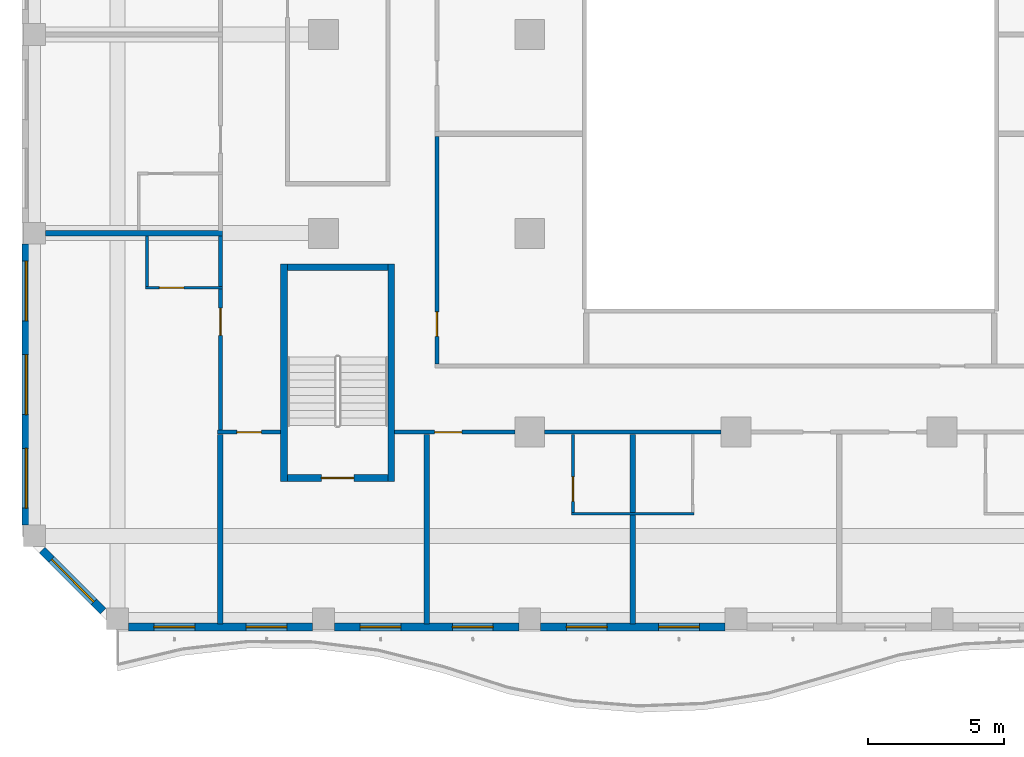
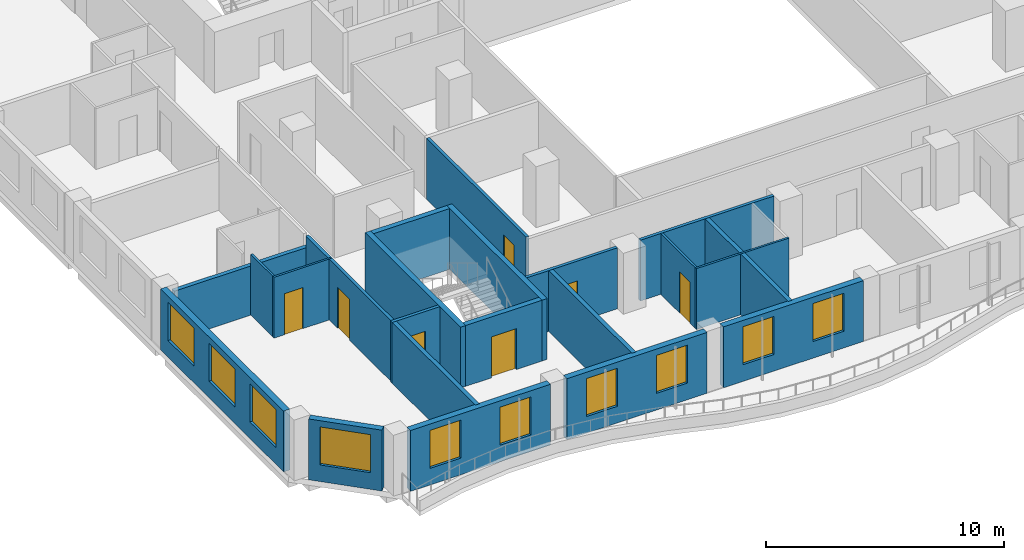
# One storey, part 2 of 22: 24 walls, 10 windows, 7 doors, 17 openings.
"""IFC4 building model written with IfcOpenShell, lengths in metres."""

import ifcopenshell
import ifcopenshell.guid

model = None  # the IFC model being written
_history = None  # IfcOwnerHistory: only IFC2X3 demands one
_inside = {}  # id of a spatial element -> (the spatial element, [elements in it])
_under = {}  # id of a project, library or spatial element -> (it, [spatial elements below it])
_declared = {}  # id of a project -> (the project, [libraries it declares])
_typed = {}  # id of a type object -> (the type object, [elements of that type])
_made_of = {}  # id of a material, layer set ... -> (it, [elements and type objects made of it])


def new_model(schema):
    """Start an empty IFC model of exactly this schema.

    Asked for "IFC4X3", IfcOpenShell would pick the latest addendum, in which some entities
    have other attributes; the version numbers below select the first issue.
    IFC2X3 requires an IfcOwnerHistory on every rooted entity: one is made here for all.
    """
    global model, _history
    if schema == "IFC4X3":
        model = ifcopenshell.file(schema_version=(4, 3, 0, 0))
    else:
        model = ifcopenshell.file(schema=schema)
    _inside.clear()
    _under.clear()
    _declared.clear()
    _typed.clear()
    _made_of.clear()
    _history = None
    if model.schema == "IFC2X3":
        org = make("IfcOrganization", Name="unknown")
        user = make(
            "IfcPersonAndOrganization",
            ThePerson=make("IfcPerson", FamilyName="unknown"),
            TheOrganization=org,
        )
        app = make(
            "IfcApplication",
            ApplicationDeveloper=org,
            Version="unknown",
            ApplicationFullName="unknown",
            ApplicationIdentifier="unknown",
        )
        _history = make(
            "IfcOwnerHistory",
            OwningUser=user,
            OwningApplication=app,
            ChangeAction="ADDED",
            CreationDate=0,
        )
    return model


def make(cls, **values):
    """One entity of the class cls with the attributes given. An attribute that is None is left unset."""
    return model.create_entity(
        cls, **{name: value for name, value in values.items() if value is not None}
    )


def rooted(cls, **values):
    """An entity with a GlobalId (a new one), such as an element, a storey or a relation."""
    return make(cls, GlobalId=ifcopenshell.guid.new(), OwnerHistory=_history, **values)


def si_unit(unit_type, name, prefix=None):
    """IfcSIUnit, for example si_unit("LENGTHUNIT", "METRE", prefix="MILLI")."""
    return make("IfcSIUnit", UnitType=unit_type, Prefix=prefix, Name=name)


def assignment(units):
    """IfcUnitAssignment: the units of a project."""
    return None if units is None else make("IfcUnitAssignment", Units=units)


def point(xyz):
    """IfcCartesianPoint."""
    return None if xyz is None else make("IfcCartesianPoint", Coordinates=xyz)


def direction(xyz):
    """IfcDirection."""
    return None if xyz is None else make("IfcDirection", DirectionRatios=xyz)


def frame(location, z_axis=None, x_axis=None):
    """IfcAxis2Placement3D, a coordinate frame: its origin and axes. An axis left out is left unset."""
    return make(
        "IfcAxis2Placement3D",
        Location=point(location),
        Axis=direction(z_axis),
        RefDirection=direction(x_axis),
    )


def frame_2d(location, x_axis=None):
    """IfcAxis2Placement2D, a coordinate frame in the plane: its origin and x axis."""
    return make(
        "IfcAxis2Placement2D", Location=point(location), RefDirection=direction(x_axis)
    )


def origin():
    """The frame at (0, 0, 0) with its axes left unset."""
    return frame((0.0, 0.0, 0.0))


def place(relative_to, where):
    """IfcLocalPlacement: puts the frame where relative to a parent placement (None: the world)."""
    return make(
        "IfcLocalPlacement", PlacementRelTo=relative_to, RelativePlacement=where
    )


def context(
    kind, dimensions, precision=None, world=None, true_north=None, identifier=None
):
    """IfcGeometricRepresentationContext, for example the 3D "Model" context."""
    return make(
        "IfcGeometricRepresentationContext",
        ContextIdentifier=identifier,
        ContextType=kind,
        CoordinateSpaceDimension=dimensions,
        Precision=precision,
        WorldCoordinateSystem=world,
        TrueNorth=true_north,
    )


def subcontext(parent, identifier, kind, view, scale=None):
    """IfcGeometricRepresentationSubContext, for example "Body" below "Model"."""
    return make(
        "IfcGeometricRepresentationSubContext",
        ContextIdentifier=identifier,
        ContextType=kind,
        ParentContext=parent,
        TargetScale=scale,
        TargetView=view,
    )


def project(units=None, contexts=None):
    """IfcProject with its units and contexts."""
    return rooted(
        "IfcProject",
        Name="project",
        RepresentationContexts=contexts,
        UnitsInContext=assignment(units),
    )


def spatial(cls, under=None, at=None, **own):
    """A site, building, storey or space (cls), placed at a placement, below another one or the project."""
    s = rooted(cls, ObjectPlacement=at, **own)
    if under is not None:
        _under.setdefault(under.id(), (under, []))[1].append(s)
    return s


def profile(cls, at=None, kind="AREA", **sizes):
    """A parametric profile (cls). Its sizes go by their IFC names, for example OverallWidth=200.0."""
    return make(cls, ProfileType=kind, Position=at, **sizes)


def rectangle(**sizes):
    """IfcRectangleProfileDef."""
    return profile("IfcRectangleProfileDef", **sizes)


def extrude(swept, where, along, depth):
    """IfcExtrudedAreaSolid: the profile swept, set in the frame where, extruded along a direction by depth."""
    return make(
        "IfcExtrudedAreaSolid",
        SweptArea=swept,
        Position=where,
        ExtrudedDirection=direction(along),
        Depth=depth,
    )


def shape(context_of_items, identifier, shape_type, items):
    """IfcShapeRepresentation: the items that make up one representation, for example the "Body"."""
    return make(
        "IfcShapeRepresentation",
        ContextOfItems=context_of_items,
        RepresentationIdentifier=identifier,
        RepresentationType=shape_type,
        Items=items,
    )


def source(mapping_origin, context_of_items, identifier, shape_type, items):
    """IfcRepresentationMap: a shape defined once, which mapped items show again and again."""
    return make(
        "IfcRepresentationMap",
        MappingOrigin=mapping_origin,
        MappedRepresentation=shape(context_of_items, identifier, shape_type, items),
    )


def transform(
    local_origin,
    x_axis=None,
    y_axis=None,
    z_axis=None,
    scale=None,
    scale2=None,
    scale3=None,
    uniform=True,
):
    """IfcCartesianTransformationOperator3D, or its non-uniform kind. x_axis, y_axis, z_axis: its Axis1, 2, 3."""
    if uniform:
        return make(
            "IfcCartesianTransformationOperator3D",
            Axis1=direction(x_axis),
            Axis2=direction(y_axis),
            LocalOrigin=point(local_origin),
            Scale=scale,
            Axis3=direction(z_axis),
        )
    return make(
        "IfcCartesianTransformationOperator3DnonUniform",
        Axis1=direction(x_axis),
        Axis2=direction(y_axis),
        LocalOrigin=point(local_origin),
        Scale=scale,
        Axis3=direction(z_axis),
        Scale2=scale2,
        Scale3=scale3,
    )


def mapped(mapping_source, mapping_target):
    """IfcMappedItem: shows the shape of a source again, moved by a transform."""
    return make(
        "IfcMappedItem", MappingSource=mapping_source, MappingTarget=mapping_target
    )


def material(Name=None, Category=None):
    """IfcMaterial."""
    return make("IfcMaterial", Name=Name, Category=Category)


def layer(
    of_material, thickness, ventilated=None, Name=None, Category=None, Priority=None
):
    """IfcMaterialLayer: one layer of a wall or slab, of a material (None: an air gap)."""
    return make(
        "IfcMaterialLayer",
        Material=of_material,
        LayerThickness=thickness,
        IsVentilated=ventilated,
        Name=Name,
        Category=Category,
        Priority=Priority,
    )


def layer_set(layers, Name=None):
    """IfcMaterialLayerSet."""
    return make("IfcMaterialLayerSet", MaterialLayers=layers, LayerSetName=Name)


def made_of(thing, what):
    """Note that an element or type object is made of a material, layer set ...; save() writes the relation."""
    if what is not None:
        _made_of.setdefault(what.id(), (what, []))[1].append(thing)
    return thing


def type_object(cls, material=None, **own):
    """A type object (cls), such as IfcWallType, which elements share."""
    return made_of(rooted(cls, **own), material)


def element(
    cls,
    number,
    at=None,
    inside=None,
    cuts=None,
    type_object=None,
    material=None,
    context=None,
    identifier="Body",
    shape_type=None,
    held_by="IfcProductDefinitionShape",
    body=None,
    shapes=None,
    **own,
):
    """One element of the class cls, such as IfcWall. Its Tag is "e" and its number.

    at: its placement. inside: the storey or other place that contains it. cuts: it is an
    opening in that element (IfcRelVoidsElement). A single representation is given by context,
    identifier, shape_type and body (its items); several are given by shapes. held_by: the class
    of the entity that holds the representations. save() writes the other relations.
    """
    e = rooted(cls, Tag="e%d" % number, ObjectPlacement=at, **own)
    if body is not None:
        shapes = [shape(context, identifier, shape_type, body)]
    if shapes is not None:
        e.Representation = make(held_by, Representations=shapes)
    if inside is not None:
        _inside.setdefault(inside.id(), (inside, []))[1].append(e)
    if cuts is not None:
        rooted(
            "IfcRelVoidsElement", RelatingBuildingElement=cuts, RelatedOpeningElement=e
        )
    if type_object is not None:
        _typed.setdefault(type_object.id(), (type_object, []))[1].append(e)
    return made_of(e, material)


def fill(opening, filler):
    """IfcRelFillsElement: the door or window that sits in an opening."""
    return rooted(
        "IfcRelFillsElement",
        RelatingOpeningElement=opening,
        RelatedBuildingElement=filler,
    )


def aggregate(whole, parts):
    """IfcRelAggregates: a whole, such as a stair, and the parts it consists of."""
    return rooted("IfcRelAggregates", RelatingObject=whole, RelatedObjects=parts)


def save(model, path):
    """Write the relations noted so far, then the file.

    IfcRelAggregates (storeys below a building ...), IfcRelContainedInSpatialStructure (elements
    in a storey), IfcRelDefinesByType, IfcRelAssociatesMaterial and IfcRelDeclares: one each for
    every whole, place, type object, material and project.
    """
    for whole, parts in _under.values():
        aggregate(whole, parts)
    for where, things in _inside.values():
        rooted(
            "IfcRelContainedInSpatialStructure",
            RelatedElements=things,
            RelatingStructure=where,
        )
    for kind, things in _typed.values():
        rooted("IfcRelDefinesByType", RelatedObjects=things, RelatingType=kind)
    for what, things in _made_of.values():
        rooted("IfcRelAssociatesMaterial", RelatedObjects=things, RelatingMaterial=what)
    for by, libraries in _declared.values():
        rooted("IfcRelDeclares", RelatingContext=by, RelatedDefinitions=libraries)
    model.write(path)


model = new_model("IFC4")

# Units and contexts
model_context = context("Model", 3, precision=1e-05, world=origin(), true_north=direction((0.0, 1.0)))
body_context = subcontext(model_context, "Body", "Model", "MODEL_VIEW")
ifc_project = project(units=[si_unit("LENGTHUNIT", "METRE"), si_unit("AREAUNIT", "SQUARE_METRE"), si_unit("VOLUMEUNIT", "CUBIC_METRE"), si_unit("PLANEANGLEUNIT", "RADIAN"), si_unit("MASSUNIT", "GRAM", prefix="KILO")], contexts=[model_context])

# Site, building, storey
site_placement = place(None, origin())
site = spatial("IfcSite", under=ifc_project, at=site_placement, CompositionType="ELEMENT")
building_placement = place(site_placement, origin())
building = spatial("IfcBuilding", under=site, at=building_placement, Name="Kilnfold Tower and Market Hall", CompositionType="ELEMENT")
storey_placement = place(building_placement, frame((0.0, 0.0, 154.10009765625)))
storey = spatial("IfcBuildingStorey", under=building, at=storey_placement, Name="L35", CompositionType="ELEMENT", Elevation=154.10009765625)

# Wall, opening, door
ifc_material_1 = material(Name="Gypsum board on steel studs", Category="steel")
ifc_layer_1 = layer(ifc_material_1, 0.14990234375)
ifc_layer_set_1 = layer_set([ifc_layer_1], Name="Gypsum board on steel studs")
wall_type_1 = type_object("IfcWallType", Name="WALL CORRIDOR 150", PredefinedType="PARTITIONING", material=ifc_layer_set_1)
wall_1_placement = place(storey_placement, frame((-13.550048828125, -13.93798828125, 0.0), z_axis=(0.0, 0.0, 1.0), x_axis=(1.0, 0.0, 0.0)))
wall_1 = element("IfcWall", 1, at=wall_1_placement, inside=storey, type_object=wall_type_1, Name="Partition LY23.1", PredefinedType="PARTITIONING", context=body_context, shape_type="SweptSolid", body=[
    extrude(rectangle(XDim=4.4169921875, YDim=0.14990234375, at=frame_2d((2.20849609375, 0.0))), origin(), (0.0, 0.0, 1.0), 3.119873046875),
])
opening_1_placement = place(wall_1_placement, frame((1.468017578125, 0.0, 0.0)))
opening_1 = element("IfcOpeningElement", 2, at=opening_1_placement, cuts=wall_1, Name="Opening D1", PredefinedType="OPENING", context=body_context, shape_type="SweptSolid", body=[
    extrude(rectangle(XDim=1.0, YDim=2.10009765625, at=frame_2d((0.5, 1.050048828125))), frame((0.0, 0.0849609375, 0.0), z_axis=(0.0, -1.0, 0.0), x_axis=(1.0, 0.0, 0.0)), (0.0, 0.0, 1.0), 0.169921875),
])
ifc_material_2 = material(Name="Timber veneer door leaf in steel frame", Category="steel")
door_type_1 = type_object("IfcDoorType", Name="DOOR ENTRY 1000 X2100", OperationType="NOTDEFINED", PredefinedType="DOOR", material=ifc_material_2)
door_1_placement = place(opening_1_placement, origin())
door_1 = element("IfcDoor", 3, at=door_1_placement, inside=storey, type_object=door_type_1, Name="Door D1", OperationType="SINGLE_SWING_RIGHT", OverallHeight=2.10009765625, OverallWidth=1.0, PredefinedType="DOOR", context=body_context, shape_type="SweptSolid", body=[
    extrude(rectangle(XDim=1.0, YDim=2.10009765625, at=frame_2d((0.5, 1.050048828125))), frame((0.0, 0.02490234375, 0.0), z_axis=(0.0, -1.0, 0.0), x_axis=(1.0, 0.0, 0.0)), (0.0, 0.0, 1.0), 0.050048828125),
])
fill(opening_1, door_1)

wall_2_placement = place(storey_placement, frame((-20.05908203125, -13.93798828125, 0.0), z_axis=(0.0, 0.0, 1.0), x_axis=(1.0, 0.0, 0.0)))
wall_2 = element("IfcWall", 4, at=wall_2_placement, inside=storey, type_object=wall_type_1, Name="Partition LY23.2", PredefinedType="PARTITIONING", context=body_context, shape_type="SweptSolid", body=[
    extrude(rectangle(XDim=2.30908203125, YDim=0.14990234375, at=frame_2d((1.154541015625, 0.0))), origin(), (0.0, 0.0, 1.0), 3.119873046875),
])
opening_2_placement = place(wall_2_placement, frame((0.705078125, 0.0, 0.0)))
opening_2 = element("IfcOpeningElement", 5, at=opening_2_placement, cuts=wall_2, Name="Opening D2", PredefinedType="OPENING", context=body_context, shape_type="SweptSolid", body=[
    extrude(rectangle(XDim=0.89990234375, YDim=2.10009765625, at=frame_2d((0.449951171875, 1.050048828125))), frame((0.0, 0.0849609375, 0.0), z_axis=(0.0, -1.0, 0.0), x_axis=(1.0, 0.0, 0.0)), (0.0, 0.0, 1.0), 0.169921875),
])
ifc_material_3 = material(Name="Timber veneer door leaf in steel frame", Category="steel")
door_type_2 = type_object("IfcDoorType", Name="DOOR ROOM 900 X2100", OperationType="NOTDEFINED", PredefinedType="DOOR", material=ifc_material_3)
door_2_placement = place(opening_2_placement, origin())
door_2 = element("IfcDoor", 6, at=door_2_placement, inside=storey, type_object=door_type_2, Name="Door D2", OperationType="SINGLE_SWING_RIGHT", OverallHeight=2.10009765625, OverallWidth=0.89990234375, PredefinedType="DOOR", context=body_context, shape_type="SweptSolid", body=[
    extrude(rectangle(XDim=0.89990234375, YDim=2.10009765625, at=frame_2d((0.449951171875, 1.050048828125))), frame((0.0, 0.02490234375, 0.0), z_axis=(0.0, -1.0, 0.0), x_axis=(1.0, 0.0, 0.0)), (0.0, 0.0, 1.0), 0.050048828125),
])
fill(opening_2, door_2)

# Wall
wall_3_placement = place(storey_placement, frame((-8.032958984375, -13.93798828125, 0.0), z_axis=(0.0, 0.0, 1.0), x_axis=(1.0, 0.0, 0.0)))
element("IfcWall", 7, at=wall_3_placement, inside=storey, type_object=wall_type_1, Name="Partition LY23.3", PredefinedType="PARTITIONING", context=body_context, shape_type="SweptSolid", body=[
    extrude(rectangle(XDim=6.48291015625, YDim=0.14990234375, at=frame_2d((3.241455078125, 0.0))), origin(), (0.0, 0.0, 1.0), 3.119873046875),
])

# Wall, opening, door
wall_4_placement = place(storey_placement, frame((-19.958984375, -13.863037109375, 0.0), z_axis=(0.0, 0.0, 1.0), x_axis=(0.0, 1.0, 0.0)))
wall_4 = element("IfcWall", 8, at=wall_4_placement, inside=storey, type_object=wall_type_1, Name="Partition LY23.10", PredefinedType="PARTITIONING", context=body_context, shape_type="SweptSolid", body=[
    extrude(rectangle(XDim=5.197998046875, YDim=0.14990234375, at=frame_2d((2.59912109375, 0.0))), origin(), (0.0, 0.0, 1.0), 3.119873046875),
])
opening_3_placement = place(wall_4_placement, frame((3.485107421875, 0.0, 0.0)))
opening_3 = element("IfcOpeningElement", 9, at=opening_3_placement, cuts=wall_4, Name="Opening D1", PredefinedType="OPENING", context=body_context, shape_type="SweptSolid", body=[
    extrude(rectangle(XDim=1.0, YDim=2.10009765625, at=frame_2d((0.5, 1.050048828125))), frame((0.0, 0.0849609375, 0.0), z_axis=(0.0, -1.0, 0.0), x_axis=(1.0, 0.0, 0.0)), (0.0, 0.0, 1.0), 0.169921875),
])
door_3_placement = place(opening_3_placement, origin())
door_3 = element("IfcDoor", 10, at=door_3_placement, inside=storey, type_object=door_type_1, Name="Door D1", OperationType="SINGLE_SWING_RIGHT", OverallHeight=2.10009765625, OverallWidth=1.0, PredefinedType="DOOR", context=body_context, shape_type="SweptSolid", body=[
    extrude(rectangle(XDim=1.0, YDim=2.10009765625, at=frame_2d((0.5, 1.050048828125))), frame((0.0, 0.02490234375, 0.0), z_axis=(0.0, -1.0, 0.0), x_axis=(1.0, 0.0, 0.0)), (0.0, 0.0, 1.0), 0.050048828125),
])
fill(opening_3, door_3)

# Wall
wall_5_placement = place(storey_placement, frame((-19.958984375, -8.5849609375, 0.0), z_axis=(0.0, 0.0, 1.0), x_axis=(0.0, 1.0, 0.0)))
element("IfcWall", 11, at=wall_5_placement, inside=storey, type_object=wall_type_1, Name="Partition LY23.11", PredefinedType="PARTITIONING", context=body_context, shape_type="SweptSolid", body=[
    extrude(rectangle(XDim=1.869873046875, YDim=0.14990234375, at=frame_2d((0.93505859375, 0.0))), origin(), (0.0, 0.0, 1.0), 3.119873046875),
])

# Wall, opening, door
wall_6_placement = place(storey_placement, frame((-12.0, -11.425048828125, 0.0), z_axis=(0.0, 0.0, 1.0), x_axis=(0.0, 1.0, 0.0)))
wall_6 = element("IfcWall", 12, at=wall_6_placement, inside=storey, type_object=wall_type_1, Name="Partition LY23.32", PredefinedType="PARTITIONING", context=body_context, shape_type="SweptSolid", body=[
    extrude(rectangle(XDim=8.365966796875, YDim=0.14990234375, at=frame_2d((4.18310546875, 0.0))), origin(), (0.0, 0.0, 1.0), 3.119873046875),
])
opening_4_placement = place(wall_6_placement, frame((1.008056640625, 0.0, 0.0)))
opening_4 = element("IfcOpeningElement", 13, at=opening_4_placement, cuts=wall_6, Name="Opening D2", PredefinedType="OPENING", context=body_context, shape_type="SweptSolid", body=[
    extrude(rectangle(XDim=0.89990234375, YDim=2.10009765625, at=frame_2d((0.449951171875, 1.050048828125))), frame((0.0, 0.0849609375, 0.0), z_axis=(0.0, -1.0, 0.0), x_axis=(1.0, 0.0, 0.0)), (0.0, 0.0, 1.0), 0.169921875),
])
door_4_placement = place(opening_4_placement, origin())
door_4 = element("IfcDoor", 14, at=door_4_placement, inside=storey, type_object=door_type_2, Name="Door D2", OperationType="SINGLE_SWING_LEFT", OverallHeight=2.10009765625, OverallWidth=0.89990234375, PredefinedType="DOOR", context=body_context, shape_type="SweptSolid", body=[
    extrude(rectangle(XDim=0.89990234375, YDim=2.10009765625, at=frame_2d((0.449951171875, 1.050048828125))), frame((0.0, 0.02490234375, 0.0), z_axis=(0.0, -1.0, 0.0), x_axis=(1.0, 0.0, 0.0)), (0.0, 0.0, 1.0), 0.050048828125),
])
fill(opening_4, door_4)

ifc_material_4 = material(Name="Gypsum board on steel studs", Category="steel")
ifc_layer_2 = layer(ifc_material_4, 0.10009765625)
ifc_layer_set_2 = layer_set([ifc_layer_2], Name="Gypsum board on steel studs")
wall_type_2 = type_object("IfcWallType", Name="WALL PARTITION 100", PredefinedType="PARTITIONING", material=ifc_layer_set_2)
wall_7_placement = place(storey_placement, frame((-6.991943359375, -16.889892578125, 0.0), z_axis=(0.0, 0.0, 1.0), x_axis=(0.0, 1.0, 0.0)))
wall_7 = element("IfcWall", 15, at=wall_7_placement, inside=storey, type_object=wall_type_2, Name="Partition LY23.46", PredefinedType="PARTITIONING", context=body_context, shape_type="SweptSolid", body=[
    extrude(rectangle(XDim=2.875, YDim=0.10009765625, at=frame_2d((1.4375, 0.0))), origin(), (0.0, 0.0, 1.0), 3.119873046875),
])
opening_5_placement = place(wall_7_placement, frame((0.409912109375, 0.0, 0.0)))
opening_5 = element("IfcOpeningElement", 16, at=opening_5_placement, cuts=wall_7, Name="Opening D3", PredefinedType="OPENING", context=body_context, shape_type="SweptSolid", body=[
    extrude(rectangle(XDim=0.89990234375, YDim=2.10009765625, at=frame_2d((0.449951171875, 1.050048828125))), frame((0.0, 0.06005859375, 0.0), z_axis=(0.0, -1.0, 0.0), x_axis=(1.0, 0.0, 0.0)), (0.0, 0.0, 1.0), 0.1201171875),
])
ifc_material_5 = material(Name="Timber veneer door leaf in steel frame", Category="steel")
door_type_3 = type_object("IfcDoorType", Name="DOOR WC 900 X2100", OperationType="NOTDEFINED", PredefinedType="DOOR", material=ifc_material_5)
door_5_placement = place(opening_5_placement, origin())
door_5 = element("IfcDoor", 17, at=door_5_placement, inside=storey, type_object=door_type_3, Name="Door D3", OperationType="SINGLE_SWING_LEFT", OverallHeight=2.10009765625, OverallWidth=0.89990234375, PredefinedType="DOOR", context=body_context, shape_type="SweptSolid", body=[
    extrude(rectangle(XDim=0.89990234375, YDim=2.10009765625, at=frame_2d((0.449951171875, 1.050048828125))), frame((0.0, 0.02490234375, 0.0), z_axis=(0.0, -1.0, 0.0), x_axis=(1.0, 0.0, 0.0)), (0.0, 0.0, 1.0), 0.050048828125),
])
fill(opening_5, door_5)

# Walls
wall_8_placement = place(storey_placement, frame((-7.0419921875, -16.93994140625, 0.0), z_axis=(0.0, 0.0, 1.0), x_axis=(1.0, 0.0, 0.0)))
element("IfcWall", 18, at=wall_8_placement, inside=storey, type_object=wall_type_2, Name="Partition LY23.47", PredefinedType="PARTITIONING", context=body_context, shape_type="SweptSolid", body=[
    extrude(rectangle(XDim=4.5, YDim=0.10009765625, at=frame_2d((2.25, 0.0))), origin(), (0.0, 0.0, 1.0), 3.119873046875),
])
wall_9_placement = place(storey_placement, frame((-22.658935546875, -8.574951171875, 0.0), z_axis=(0.0, 0.0, 1.0), x_axis=(0.0, 1.0, 0.0)))
element("IfcWall", 19, at=wall_9_placement, inside=storey, type_object=wall_type_2, Name="Partition LY23.62", PredefinedType="PARTITIONING", context=body_context, shape_type="SweptSolid", body=[
    extrude(rectangle(XDim=1.849853515625, YDim=0.10009765625, at=frame_2d((0.9248046875, 0.0))), origin(), (0.0, 0.0, 1.0), 3.119873046875),
])

# Wall, opening, door
wall_10_placement = place(storey_placement, frame((-19.885986328125, -8.625, 0.0), z_axis=(0.0, 0.0, 1.0), x_axis=(-1.0, 0.0, 0.0)))
wall_10 = element("IfcWall", 20, at=wall_10_placement, inside=storey, type_object=wall_type_2, Name="Partition LY23.63", PredefinedType="PARTITIONING", context=body_context, shape_type="SweptSolid", body=[
    extrude(rectangle(XDim=2.822998046875, YDim=0.10009765625, at=frame_2d((1.41162109375, 0.0))), origin(), (0.0, 0.0, 1.0), 3.119873046875),
])
opening_6_placement = place(wall_10_placement, frame((1.41796875, 0.0, 0.0)))
opening_6 = element("IfcOpeningElement", 21, at=opening_6_placement, cuts=wall_10, Name="Opening D3", PredefinedType="OPENING", context=body_context, shape_type="SweptSolid", body=[
    extrude(rectangle(XDim=0.89990234375, YDim=2.10009765625, at=frame_2d((0.449951171875, 1.050048828125))), frame((0.0, 0.06005859375, 0.0), z_axis=(0.0, -1.0, 0.0), x_axis=(1.0, 0.0, 0.0)), (0.0, 0.0, 1.0), 0.1201171875),
])
door_6_placement = place(opening_6_placement, origin())
door_6 = element("IfcDoor", 22, at=door_6_placement, inside=storey, type_object=door_type_3, Name="Door D3", OperationType="SINGLE_SWING_LEFT", OverallHeight=2.10009765625, OverallWidth=0.89990234375, PredefinedType="DOOR", context=body_context, shape_type="SweptSolid", body=[
    extrude(rectangle(XDim=0.89990234375, YDim=2.10009765625, at=frame_2d((0.449951171875, 1.050048828125))), frame((0.0, 0.02490234375, 0.0), z_axis=(0.0, -1.0, 0.0), x_axis=(1.0, 0.0, 0.0)), (0.0, 0.0, 1.0), 0.050048828125),
])
fill(opening_6, door_6)

# Walls
ifc_material_6 = material(Name="Gypsum board on steel studs", Category="steel")
ifc_layer_3 = layer(ifc_material_6, 0.199951171875)
ifc_layer_set_3 = layer_set([ifc_layer_3], Name="Gypsum board on steel studs")
wall_type_3 = type_object("IfcWallType", Name="WALL PARTY 200", PredefinedType="PARTITIONING", material=ifc_layer_set_3)
for number, where, z_axis, x_axis, name in (
    (23, (-12.375, -21.0, 0.0), (0.0, 0.0, 1.0), (0.0, 1.0, 0.0), "Partition LY23.44"),
    (24, (-19.958984375, -21.0, 0.0), (0.0, 0.0, 1.0), (0.0, 1.0, 0.0), "Partition LY23.45"),
):
    element("IfcWall", number, at=place(storey_placement, frame(where, z_axis=z_axis, x_axis=x_axis)), inside=storey, type_object=wall_type_3, Name=name, PredefinedType="PARTITIONING", context=body_context, shape_type="SweptSolid", body=[
        extrude(rectangle(XDim=6.985107421875, YDim=0.199951171875, at=frame_2d((3.49267578125, 0.0))), origin(), (0.0, 0.0, 1.0), 3.119873046875),
    ])
wall_11_placement = place(storey_placement, frame((-4.7919921875, -21.0, 0.0), z_axis=(0.0, 0.0, 1.0), x_axis=(0.0, 1.0, 0.0)))
element("IfcWall", 25, at=wall_11_placement, inside=storey, type_object=wall_type_3, Name="Partition LY23.48", PredefinedType="PARTITIONING", context=body_context, shape_type="SweptSolid", body=[
    extrude(rectangle(XDim=4.010009765625, YDim=0.199951171875, at=frame_2d((2.0048828125, 0.0))), origin(), (0.0, 0.0, 1.0), 3.119873046875),
])
wall_12_placement = place(storey_placement, frame((-4.7919921875, -16.889892578125, 0.0), z_axis=(0.0, 0.0, 1.0), x_axis=(0.0, 1.0, 0.0)))
element("IfcWall", 26, at=wall_12_placement, inside=storey, type_object=wall_type_3, Name="Partition LY23.49", PredefinedType="PARTITIONING", context=body_context, shape_type="SweptSolid", body=[
    extrude(rectangle(XDim=2.875, YDim=0.199951171875, at=frame_2d((1.4375, 0.0))), origin(), (0.0, 0.0, 1.0), 3.119873046875),
])
wall_13_placement = place(storey_placement, frame((-26.39990234375, -6.625, 0.0), z_axis=(0.0, 0.0, 1.0), x_axis=(1.0, 0.0, 0.0)))
element("IfcWall", 27, at=wall_13_placement, inside=storey, type_object=wall_type_3, Name="Partition LY23.64", PredefinedType="PARTITIONING", context=body_context, shape_type="SweptSolid", body=[
    extrude(rectangle(XDim=6.513916015625, YDim=0.199951171875, at=frame_2d((3.2568359375, 0.0))), origin(), (0.0, 0.0, 1.0), 2.52001953125),
])

# Wall, opening, door
ifc_material_7 = material(Name="Concrete C70", Category="concrete")
ifc_layer_4 = layer(ifc_material_7, 0.25)
ifc_layer_set_4 = layer_set([ifc_layer_4], Name="Concrete C70")
wall_type_4 = type_object("IfcWallType", Name="CORE WALL 250 C70", PredefinedType="SHEAR", material=ifc_layer_set_4)
shared_shape_1 = source(origin(), body_context, "Body", "SweptSolid", [
    extrude(rectangle(XDim=3.699951171875, YDim=0.25, at=frame_2d((1.85009765625, 0.0))), origin(), (0.0, 0.0, 1.0), 3.119873046875),
])
wall_14_placement = place(storey_placement, frame((-17.5, -15.625, 0.0), z_axis=(0.0, 0.0, 1.0), x_axis=(1.0, 0.0, 0.0)))
wall_14 = element("IfcWall", 28, at=wall_14_placement, inside=storey, type_object=wall_type_4, Name="Stair enclosure ST3", PredefinedType="SHEAR", context=body_context, shape_type="MappedRepresentation", body=[
    mapped(shared_shape_1, transform((0.0, 0.0, 0.0))),
])
opening_7_placement = place(wall_14_placement, frame((1.25, 0.0, 0.0)))
opening_7 = element("IfcOpeningElement", 29, at=opening_7_placement, cuts=wall_14, Name="Opening SD1", PredefinedType="OPENING", context=body_context, shape_type="SweptSolid", body=[
    extrude(rectangle(XDim=1.199951171875, YDim=2.10009765625, at=frame_2d((0.60009765625, 1.050048828125))), frame((0.0, 0.135009765625, 0.0), z_axis=(0.0, -1.0, 0.0), x_axis=(1.0, 0.0, 0.0)), (0.0, 0.0, 1.0), 0.27001953125),
])
ifc_material_8 = material(Name="Steel door set with fire-resisting leaf", Category="steel")
door_type_4 = type_object("IfcDoorType", Name="STAIR FLOOR DOOR 1200X2100", OperationType="NOTDEFINED", PredefinedType="DOOR", material=ifc_material_8)
door_7_placement = place(opening_7_placement, origin())
door_7 = element("IfcDoor", 30, at=door_7_placement, inside=storey, type_object=door_type_4, Name="Exit stair ST3 door", OperationType="DOUBLE_DOOR_SINGLE_SWING", OverallHeight=2.10009765625, OverallWidth=1.199951171875, PredefinedType="DOOR", context=body_context, shape_type="SweptSolid", body=[
    extrude(rectangle(XDim=1.199951171875, YDim=2.10009765625, at=frame_2d((0.60009765625, 1.050048828125))), frame((0.0, 0.02490234375, 0.0), z_axis=(0.0, -1.0, 0.0), x_axis=(1.0, 0.0, 0.0)), (0.0, 0.0, 1.0), 0.050048828125),
])
fill(opening_7, door_7)

# Walls
wall_15_placement = place(storey_placement, frame((-17.5, -7.875, 0.0), z_axis=(0.0, 0.0, 1.0), x_axis=(1.0, 0.0, 0.0)))
element("IfcWall", 31, at=wall_15_placement, inside=storey, type_object=wall_type_4, Name="Stair enclosure ST3", PredefinedType="SHEAR", context=body_context, shape_type="MappedRepresentation", body=[
    mapped(shared_shape_1, transform((0.0, 0.0, 0.0))),
])
shared_shape_2 = source(origin(), body_context, "Body", "SweptSolid", [
    extrude(rectangle(XDim=8.0, YDim=0.25, at=frame_2d((4.0, 0.0))), origin(), (0.0, 0.0, 1.0), 3.119873046875),
])
for number, where, z_axis, x_axis, name in (
    (32, (-17.625, -15.75, 0.0), (0.0, 0.0, 1.0), (0.0, 1.0, 0.0), "Stair enclosure ST3"),
    (33, (-13.675048828125, -15.75, 0.0), (0.0, 0.0, 1.0), (0.0, 1.0, 0.0), "Stair enclosure ST3"),
):
    element("IfcWall", number, at=place(storey_placement, frame(where, z_axis=z_axis, x_axis=x_axis)), inside=storey, type_object=wall_type_4, Name=name, PredefinedType="SHEAR", context=body_context, shape_type="MappedRepresentation", body=[
        mapped(shared_shape_2, transform((0.0, 0.0, 0.0))),
    ])

# Wall, openings, windows
ifc_material_9 = material(Name="Precast concrete C50/60", Category="concrete")
ifc_layer_5 = layer(ifc_material_9, 0.300048828125)
ifc_layer_set_5 = layer_set([ifc_layer_5], Name="Precast concrete C50/60")
wall_type_5 = type_object("IfcWallType", Name="PRECAST WALL 300", PredefinedType="SOLIDWALL", material=ifc_layer_set_5)
shared_shape_3 = source(origin(), body_context, "Body", "SweptSolid", [
    extrude(rectangle(XDim=6.783447265625, YDim=0.300048828125, at=frame_2d((3.3916015625, 0.0))), origin(), (0.0, 0.0, 1.0), 3.119873046875),
])
wall_16_placement = place(storey_placement, frame((-23.35009765625, -21.10009765625, 0.0), z_axis=(0.0, 0.0, 1.0), x_axis=(1.0, 0.0, 0.0)))
wall_16 = element("IfcWall", 34, at=wall_16_placement, inside=storey, type_object=wall_type_5, Name="External wall L35 S", PredefinedType="SOLIDWALL", context=body_context, shape_type="MappedRepresentation", body=[
    mapped(shared_shape_3, transform((0.0, 0.0, 0.0))),
])
opening_8_placement = place(wall_16_placement, frame((0.94580078125, 0.0, 0.85009765625)))
opening_8 = element("IfcOpeningElement", 35, at=opening_8_placement, cuts=wall_16, Name="Opening W4", PredefinedType="OPENING", context=body_context, shape_type="SweptSolid", body=[
    extrude(rectangle(XDim=1.5, YDim=1.949951171875, at=frame_2d((0.75, 0.97509765625))), frame((0.0, 0.16015625, 0.0), z_axis=(0.0, -1.0, 0.0), x_axis=(1.0, 0.0, 0.0)), (0.0, 0.0, 1.0), 0.320068359375),
])
opening_9_placement = place(wall_16_placement, frame((4.33740234375, 0.0, 0.85009765625)))
opening_9 = element("IfcOpeningElement", 36, at=opening_9_placement, cuts=wall_16, Name="Opening W4", PredefinedType="OPENING", context=body_context, shape_type="SweptSolid", body=[
    extrude(rectangle(XDim=1.5, YDim=1.949951171875, at=frame_2d((0.75, 0.97509765625))), frame((0.0, 0.16015625, 0.0), z_axis=(0.0, -1.0, 0.0), x_axis=(1.0, 0.0, 0.0)), (0.0, 0.0, 1.0), 0.320068359375),
])
ifc_material_10 = material(Name="Aluminium frame and double glazing", Category="aluminium")
window_type_1 = type_object("IfcWindowType", Name="WINDOW W4 1500X1950", PartitioningType="SINGLE_PANEL", PredefinedType="WINDOW", material=ifc_material_10)
window_1_placement = place(opening_8_placement, origin())
window_1 = element("IfcWindow", 37, at=window_1_placement, inside=storey, type_object=window_type_1, Name="Window W4 L35 S-1", OverallHeight=1.949951171875, OverallWidth=1.5, PartitioningType="SINGLE_PANEL", PredefinedType="WINDOW", context=body_context, shape_type="SweptSolid", body=[
    extrude(rectangle(XDim=1.5, YDim=1.949951171875, at=frame_2d((0.75, 0.97509765625))), frame((0.0, 0.030029296875, 0.0), z_axis=(0.0, -1.0, 0.0), x_axis=(1.0, 0.0, 0.0)), (0.0, 0.0, 1.0), 0.06005859375),
])
fill(opening_8, window_1)
window_2_placement = place(opening_9_placement, origin())
window_2 = element("IfcWindow", 38, at=window_2_placement, inside=storey, type_object=window_type_1, Name="Window W4 L35 S-2", OverallHeight=1.949951171875, OverallWidth=1.5, PartitioningType="SINGLE_PANEL", PredefinedType="WINDOW", context=body_context, shape_type="SweptSolid", body=[
    extrude(rectangle(XDim=1.5, YDim=1.949951171875, at=frame_2d((0.75, 0.97509765625))), frame((0.0, 0.030029296875, 0.0), z_axis=(0.0, -1.0, 0.0), x_axis=(1.0, 0.0, 0.0)), (0.0, 0.0, 1.0), 0.06005859375),
])
fill(opening_9, window_2)

wall_17_placement = place(storey_placement, frame((-8.183349609375, -21.10009765625, 0.0), z_axis=(0.0, 0.0, 1.0), x_axis=(1.0, 0.0, 0.0)))
wall_17 = element("IfcWall", 39, at=wall_17_placement, inside=storey, type_object=wall_type_5, Name="External wall L35 S", PredefinedType="SOLIDWALL", context=body_context, shape_type="MappedRepresentation", body=[
    mapped(shared_shape_3, transform((0.0, 0.0, 0.0))),
])
opening_10_placement = place(wall_17_placement, frame((0.94580078125, 0.0, 0.85009765625)))
opening_10 = element("IfcOpeningElement", 40, at=opening_10_placement, cuts=wall_17, Name="Opening W4", PredefinedType="OPENING", context=body_context, shape_type="SweptSolid", body=[
    extrude(rectangle(XDim=1.5, YDim=1.949951171875, at=frame_2d((0.75, 0.97509765625))), frame((0.0, 0.16015625, 0.0), z_axis=(0.0, -1.0, 0.0), x_axis=(1.0, 0.0, 0.0)), (0.0, 0.0, 1.0), 0.320068359375),
])
opening_11_placement = place(wall_17_placement, frame((4.33740234375, 0.0, 0.85009765625)))
opening_11 = element("IfcOpeningElement", 41, at=opening_11_placement, cuts=wall_17, Name="Opening W4", PredefinedType="OPENING", context=body_context, shape_type="SweptSolid", body=[
    extrude(rectangle(XDim=1.5, YDim=1.949951171875, at=frame_2d((0.75, 0.97509765625))), frame((0.0, 0.16015625, 0.0), z_axis=(0.0, -1.0, 0.0), x_axis=(1.0, 0.0, 0.0)), (0.0, 0.0, 1.0), 0.320068359375),
])
window_3_placement = place(opening_10_placement, origin())
window_3 = element("IfcWindow", 42, at=window_3_placement, inside=storey, type_object=window_type_1, Name="Window W4 L35 S-1", OverallHeight=1.949951171875, OverallWidth=1.5, PartitioningType="SINGLE_PANEL", PredefinedType="WINDOW", context=body_context, shape_type="SweptSolid", body=[
    extrude(rectangle(XDim=1.5, YDim=1.949951171875, at=frame_2d((0.75, 0.97509765625))), frame((0.0, 0.030029296875, 0.0), z_axis=(0.0, -1.0, 0.0), x_axis=(1.0, 0.0, 0.0)), (0.0, 0.0, 1.0), 0.06005859375),
])
fill(opening_10, window_3)
window_4_placement = place(opening_11_placement, origin())
window_4 = element("IfcWindow", 43, at=window_4_placement, inside=storey, type_object=window_type_1, Name="Window W4 L35 S-2", OverallHeight=1.949951171875, OverallWidth=1.5, PartitioningType="SINGLE_PANEL", PredefinedType="WINDOW", context=body_context, shape_type="SweptSolid", body=[
    extrude(rectangle(XDim=1.5, YDim=1.949951171875, at=frame_2d((0.75, 0.97509765625))), frame((0.0, 0.030029296875, 0.0), z_axis=(0.0, -1.0, 0.0), x_axis=(1.0, 0.0, 0.0)), (0.0, 0.0, 1.0), 0.06005859375),
])
fill(opening_11, window_4)

shared_shape_4 = source(origin(), body_context, "Body", "SweptSolid", [
    extrude(rectangle(XDim=6.783203125, YDim=0.300048828125, at=frame_2d((3.3916015625, 0.0))), origin(), (0.0, 0.0, 1.0), 3.119873046875),
])
wall_18_placement = place(storey_placement, frame((-15.7666015625, -21.10009765625, 0.0), z_axis=(0.0, 0.0, 1.0), x_axis=(1.0, 0.0, 0.0)))
wall_18 = element("IfcWall", 44, at=wall_18_placement, inside=storey, type_object=wall_type_5, Name="External wall L35 S", PredefinedType="SOLIDWALL", context=body_context, shape_type="MappedRepresentation", body=[
    mapped(shared_shape_4, transform((0.0, 0.0, 0.0))),
])
opening_12_placement = place(wall_18_placement, frame((0.94580078125, 0.0, 0.85009765625)))
opening_12 = element("IfcOpeningElement", 45, at=opening_12_placement, cuts=wall_18, Name="Opening W4", PredefinedType="OPENING", context=body_context, shape_type="SweptSolid", body=[
    extrude(rectangle(XDim=1.5, YDim=1.949951171875, at=frame_2d((0.75, 0.97509765625))), frame((0.0, 0.16015625, 0.0), z_axis=(0.0, -1.0, 0.0), x_axis=(1.0, 0.0, 0.0)), (0.0, 0.0, 1.0), 0.320068359375),
])
opening_13_placement = place(wall_18_placement, frame((4.337646484375, 0.0, 0.85009765625)))
opening_13 = element("IfcOpeningElement", 46, at=opening_13_placement, cuts=wall_18, Name="Opening W4", PredefinedType="OPENING", context=body_context, shape_type="SweptSolid", body=[
    extrude(rectangle(XDim=1.5, YDim=1.949951171875, at=frame_2d((0.75, 0.97509765625))), frame((0.0, 0.16015625, 0.0), z_axis=(0.0, -1.0, 0.0), x_axis=(1.0, 0.0, 0.0)), (0.0, 0.0, 1.0), 0.320068359375),
])
window_5_placement = place(opening_12_placement, origin())
window_5 = element("IfcWindow", 47, at=window_5_placement, inside=storey, type_object=window_type_1, Name="Window W4 L35 S-1", OverallHeight=1.949951171875, OverallWidth=1.5, PartitioningType="SINGLE_PANEL", PredefinedType="WINDOW", context=body_context, shape_type="SweptSolid", body=[
    extrude(rectangle(XDim=1.5, YDim=1.949951171875, at=frame_2d((0.75, 0.97509765625))), frame((0.0, 0.030029296875, 0.0), z_axis=(0.0, -1.0, 0.0), x_axis=(1.0, 0.0, 0.0)), (0.0, 0.0, 1.0), 0.06005859375),
])
fill(opening_12, window_5)
window_6_placement = place(opening_13_placement, origin())
window_6 = element("IfcWindow", 48, at=window_6_placement, inside=storey, type_object=window_type_1, Name="Window W4 L35 S-2", OverallHeight=1.949951171875, OverallWidth=1.5, PartitioningType="SINGLE_PANEL", PredefinedType="WINDOW", context=body_context, shape_type="SweptSolid", body=[
    extrude(rectangle(XDim=1.5, YDim=1.949951171875, at=frame_2d((0.75, 0.97509765625))), frame((0.0, 0.030029296875, 0.0), z_axis=(0.0, -1.0, 0.0), x_axis=(1.0, 0.0, 0.0)), (0.0, 0.0, 1.0), 0.06005859375),
])
fill(opening_13, window_6)

shared_shape_5 = source(origin(), body_context, "Body", "SweptSolid", [
    extrude(rectangle(XDim=10.3251953125, YDim=0.300048828125, at=frame_2d((5.16259765625, 0.0))), origin(), (0.0, 0.0, 1.0), 3.119873046875),
])
wall_19_placement = place(storey_placement, frame((-27.10009765625, -7.02490234375, 0.0), z_axis=(0.0, 0.0, 1.0), x_axis=(0.0, -1.0, 0.0)))
wall_19 = element("IfcWall", 49, at=wall_19_placement, inside=storey, type_object=wall_type_5, Name="External wall L35 W", PredefinedType="SOLIDWALL", context=body_context, shape_type="MappedRepresentation", body=[
    mapped(shared_shape_5, transform((0.0, 0.0, 0.0))),
])
opening_14_placement = place(wall_19_placement, frame((0.620849609375, 0.0, 0.85009765625)))
opening_14 = element("IfcOpeningElement", 50, at=opening_14_placement, cuts=wall_19, Name="Opening W2", PredefinedType="OPENING", context=body_context, shape_type="SweptSolid", body=[
    extrude(rectangle(XDim=2.199951171875, YDim=1.949951171875, at=frame_2d((1.10009765625, 0.97509765625))), frame((0.0, 0.16015625, 0.0), z_axis=(0.0, -1.0, 0.0), x_axis=(1.0, 0.0, 0.0)), (0.0, 0.0, 1.0), 0.320068359375),
])
opening_15_placement = place(wall_19_placement, frame((4.0625, 0.0, 0.85009765625)))
opening_15 = element("IfcOpeningElement", 51, at=opening_15_placement, cuts=wall_19, Name="Opening W2", PredefinedType="OPENING", context=body_context, shape_type="SweptSolid", body=[
    extrude(rectangle(XDim=2.199951171875, YDim=1.949951171875, at=frame_2d((1.10009765625, 0.97509765625))), frame((0.0, 0.16015625, 0.0), z_axis=(0.0, -1.0, 0.0), x_axis=(1.0, 0.0, 0.0)), (0.0, 0.0, 1.0), 0.320068359375),
])
opening_16_placement = place(wall_19_placement, frame((7.504150390625, 0.0, 0.85009765625)))
opening_16 = element("IfcOpeningElement", 52, at=opening_16_placement, cuts=wall_19, Name="Opening W2", PredefinedType="OPENING", context=body_context, shape_type="SweptSolid", body=[
    extrude(rectangle(XDim=2.199951171875, YDim=1.949951171875, at=frame_2d((1.10009765625, 0.97509765625))), frame((0.0, 0.16015625, 0.0), z_axis=(0.0, -1.0, 0.0), x_axis=(1.0, 0.0, 0.0)), (0.0, 0.0, 1.0), 0.320068359375),
])
ifc_material_11 = material(Name="Aluminium frame and double glazing", Category="aluminium")
window_type_2 = type_object("IfcWindowType", Name="WINDOW W2 2200X1950", PartitioningType="SINGLE_PANEL", PredefinedType="WINDOW", material=ifc_material_11)
window_7_placement = place(opening_14_placement, origin())
window_7 = element("IfcWindow", 53, at=window_7_placement, inside=storey, type_object=window_type_2, Name="Window W2 L35 W-1", OverallHeight=1.949951171875, OverallWidth=2.199951171875, PartitioningType="SINGLE_PANEL", PredefinedType="WINDOW", context=body_context, shape_type="SweptSolid", body=[
    extrude(rectangle(XDim=2.199951171875, YDim=1.949951171875, at=frame_2d((1.10009765625, 0.97509765625))), frame((0.0, 0.030029296875, 0.0), z_axis=(0.0, -1.0, 0.0), x_axis=(1.0, 0.0, 0.0)), (0.0, 0.0, 1.0), 0.06005859375),
])
fill(opening_14, window_7)
window_8_placement = place(opening_15_placement, origin())
window_8 = element("IfcWindow", 54, at=window_8_placement, inside=storey, type_object=window_type_2, Name="Window W2 L35 W-2", OverallHeight=1.949951171875, OverallWidth=2.199951171875, PartitioningType="SINGLE_PANEL", PredefinedType="WINDOW", context=body_context, shape_type="SweptSolid", body=[
    extrude(rectangle(XDim=2.199951171875, YDim=1.949951171875, at=frame_2d((1.10009765625, 0.97509765625))), frame((0.0, 0.030029296875, 0.0), z_axis=(0.0, -1.0, 0.0), x_axis=(1.0, 0.0, 0.0)), (0.0, 0.0, 1.0), 0.06005859375),
])
fill(opening_15, window_8)
window_9_placement = place(opening_16_placement, origin())
window_9 = element("IfcWindow", 55, at=window_9_placement, inside=storey, type_object=window_type_2, Name="Window W2 L35 W-3", OverallHeight=1.949951171875, OverallWidth=2.199951171875, PartitioningType="SINGLE_PANEL", PredefinedType="WINDOW", context=body_context, shape_type="SweptSolid", body=[
    extrude(rectangle(XDim=2.199951171875, YDim=1.949951171875, at=frame_2d((1.10009765625, 0.97509765625))), frame((0.0, 0.030029296875, 0.0), z_axis=(0.0, -1.0, 0.0), x_axis=(1.0, 0.0, 0.0)), (0.0, 0.0, 1.0), 0.06005859375),
])
fill(opening_16, window_9)

# Wall, opening, window
shared_shape_6 = source(origin(), body_context, "Body", "SweptSolid", [
    extrude(rectangle(XDim=3.18212890625, YDim=0.300048828125, at=frame_2d((1.591064453125, 0.0))), origin(), (0.0, 0.0, 1.0), 3.119873046875),
])
wall_20_placement = place(storey_placement, frame((-26.518798828125, -18.268798828125, 0.0), z_axis=(0.0, 0.0, 1.0), x_axis=(0.707068419229, -0.707145141063, 0.0)))
wall_20 = element("IfcWall", 56, at=wall_20_placement, inside=storey, type_object=wall_type_5, Name="External wall L35 SW", PredefinedType="SOLIDWALL", context=body_context, shape_type="MappedRepresentation", body=[
    mapped(shared_shape_6, transform((0.0, 0.0, 0.0))),
])
opening_17_placement = place(wall_20_placement, frame((0.490966796875, 0.0, 0.85009765625)))
opening_17 = element("IfcOpeningElement", 57, at=opening_17_placement, cuts=wall_20, Name="Opening W2", PredefinedType="OPENING", context=body_context, shape_type="SweptSolid", body=[
    extrude(rectangle(XDim=2.199951171875, YDim=1.949951171875, at=frame_2d((1.10009765625, 0.97509765625))), frame((0.0, 0.16015625, 0.0), z_axis=(0.0, -1.0, 0.0), x_axis=(1.0, 0.0, 0.0)), (0.0, 0.0, 1.0), 0.320068359375),
])
window_10_placement = place(opening_17_placement, origin())
window_10 = element("IfcWindow", 58, at=window_10_placement, inside=storey, type_object=window_type_2, Name="Window W2 L35 SW-1", OverallHeight=1.949951171875, OverallWidth=2.199951171875, PartitioningType="SINGLE_PANEL", PredefinedType="WINDOW", context=body_context, shape_type="SweptSolid", body=[
    extrude(rectangle(XDim=2.199951171875, YDim=1.949951171875, at=frame_2d((1.10009765625, 0.97509765625))), frame((0.0, 0.030029296875, 0.0), z_axis=(0.0, -1.0, 0.0), x_axis=(1.0, 0.0, 0.0)), (0.0, 0.0, 1.0), 0.06005859375),
])
fill(opening_17, window_10)

save(model, "model.ifc")
